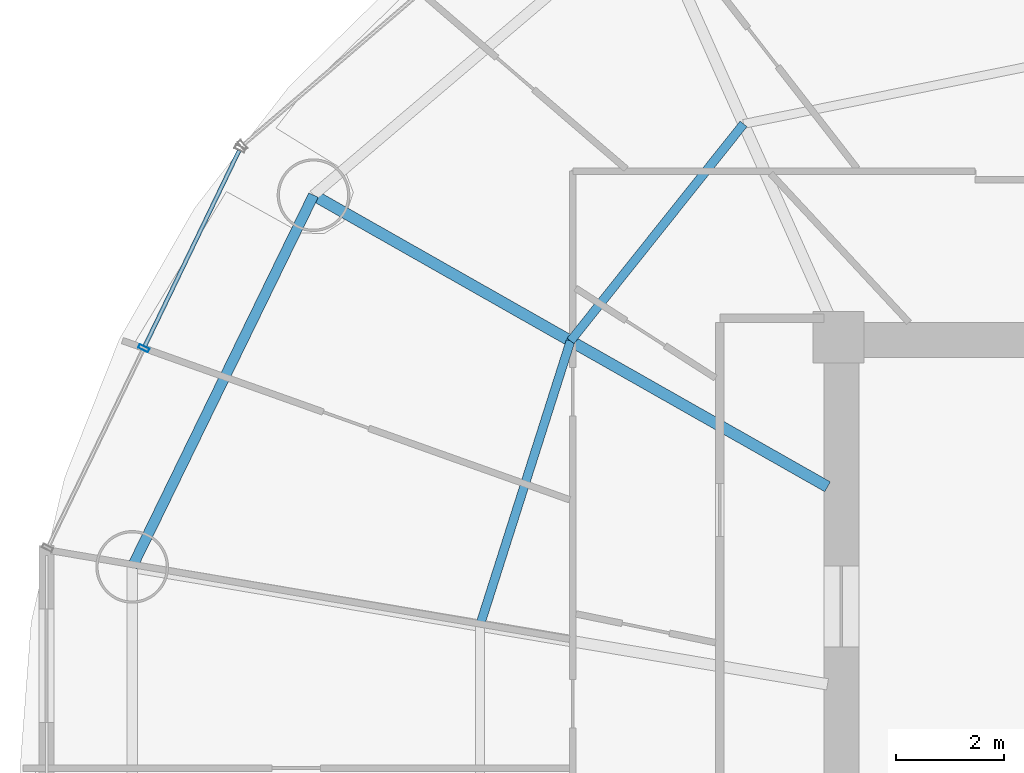
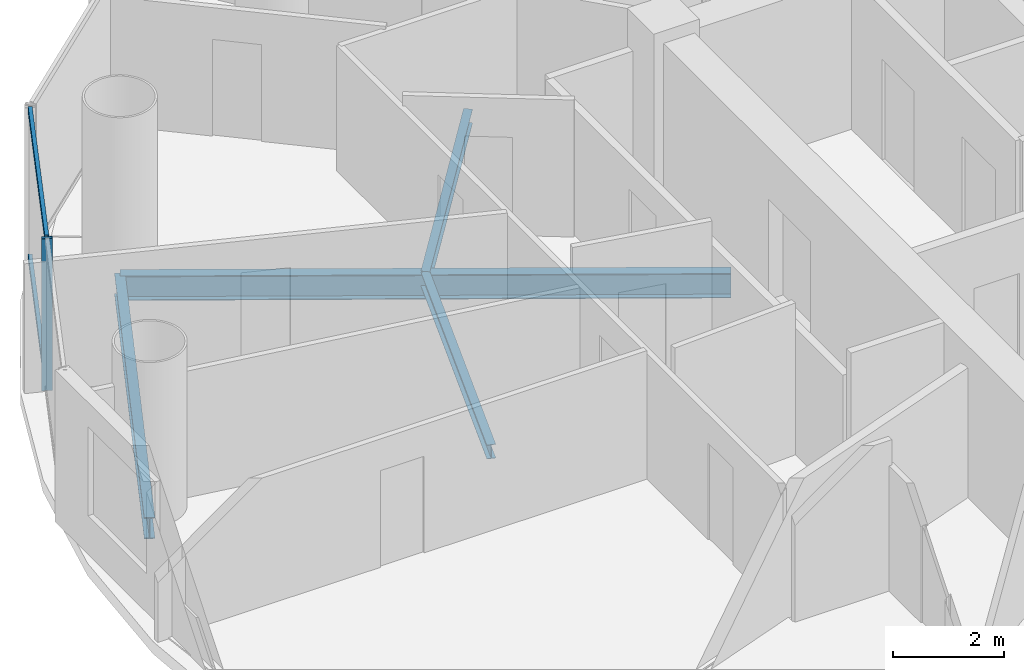
# One storey, part 7 of 27: 4 beams, 3 members, 1 element without a shape of its own.
"""IFC4 building model written with IfcOpenShell, lengths in metres."""

from ifc_helpers import new_model, si_unit, direction, frame, origin, origin_2d, place, context, subcontext, project, spatial, hollow_rectangle, i_section, extrude, source, transform, mapped, material, material_profile, profile_set, type_object, element, aggregate, save


model = new_model("IFC4")

# Units and contexts
model_context = context("Model", 3, precision=1e-05, world=origin(), true_north=direction((-0.2419218956, 0.970295726276)))
body_context = subcontext(model_context, "Body", "Model", "MODEL_VIEW")
ifc_project = project(units=[si_unit("LENGTHUNIT", "METRE"), si_unit("AREAUNIT", "SQUARE_METRE"), si_unit("VOLUMEUNIT", "CUBIC_METRE"), si_unit("PLANEANGLEUNIT", "RADIAN"), si_unit("MASSUNIT", "GRAM", prefix="KILO")], contexts=[model_context])

# Site, building, storey
site_placement = place(None, origin())
site = spatial("IfcSite", under=ifc_project, at=site_placement, CompositionType="ELEMENT")
building_placement = place(site_placement, origin())
building = spatial("IfcBuilding", under=site, at=building_placement, Name="Cobrevalo Terracotta Tower", CompositionType="ELEMENT")
storey_placement = place(building_placement, frame((0.0, 0.0, 149.800048828125)))
storey = spatial("IfcBuildingStorey", under=building, at=storey_placement, Name="L39", CompositionType="ELEMENT", Elevation=149.800048828125)

# Beams
ifc_material_1 = material(Name="Steel S355", Category="steel")
ifc_material_profile_1 = material_profile(ifc_material_1, i_section(OverallWidth=0.2109375, OverallDepth=0.5390625, WebThickness=0.01171875, FlangeThickness=0.018798828125, at=origin_2d()), Name="W 530x109")
ifc_profile_set_1 = profile_set([ifc_material_profile_1], Name="Steel S355")
beam_type_1 = type_object("IfcBeamType", Name="Structural Beam W 530x109 (Steel S355)", PredefinedType="BEAM", material=ifc_profile_set_1)
beam_1_placement = place(storey_placement, frame((19.250244140625, 37.439208984375, -0.53955078125), z_axis=(0.869734177783, -0.493520475762, 0.0), x_axis=(0.493520475762, 0.869734177783, 0.0)))
element("IfcBeam", 1, at=beam_1_placement, inside=storey, type_object=beam_type_1, Name="L39 radial floor girder 07", PredefinedType="BEAM", context=body_context, shape_type="SweptSolid", body=[
    extrude(i_section(OverallWidth=0.2109375, OverallDepth=0.5390625, WebThickness=0.01171875, FlangeThickness=0.018798828125, at=origin_2d()), origin(), (0.0, 0.0, 1.0), 10.974365234375),
])
ifc_material_profile_2 = material_profile(ifc_material_1, i_section(OverallWidth=0.1650390625, OverallDepth=0.31005859375, WebThickness=0.005859375, FlangeThickness=0.009765625, at=origin_2d()), Name="W 310x38.7")
ifc_profile_set_2 = profile_set([ifc_material_profile_2], Name="Steel S355")
beam_type_2 = type_object("IfcBeamType", Name="Structural Joist W 310x38.7 (Steel S355)", PredefinedType="JOIST", material=ifc_profile_set_2)
beam_2_placement = place(storey_placement, frame((27.23583984375, 38.76123046875, -0.425048828125), z_axis=(-0.62340602772, -0.781898282773, 0.0), x_axis=(0.781898282773, -0.62340602772, 0.0)))
element("IfcBeam", 2, at=beam_2_placement, inside=storey, type_object=beam_type_2, Name="L39 circumferential secondary floor joist 06", PredefinedType="JOIST", context=body_context, shape_type="SweptSolid", body=[
    extrude(i_section(OverallWidth=0.1650390625, OverallDepth=0.31005859375, WebThickness=0.005859375, FlangeThickness=0.009765625, at=origin_2d()), origin(), (0.0, 0.0, 1.0), 5.154052734375),
])
beam_3_placement = place(storey_placement, frame((24.022705078125, 34.731201171875, -0.425048828125), z_axis=(-0.303497928386, -0.952832098255, 0.0), x_axis=(0.952832098255, -0.303497928386, 0.0)))
element("IfcBeam", 3, at=beam_3_placement, inside=storey, type_object=beam_type_2, Name="L39 circumferential secondary floor joist 07", PredefinedType="JOIST", context=body_context, shape_type="SweptSolid", body=[
    extrude(i_section(OverallWidth=0.1650390625, OverallDepth=0.31005859375, WebThickness=0.005859375, FlangeThickness=0.009765625, at=origin_2d()), origin(), (0.0, 0.0, 1.0), 5.54736328125),
])
ifc_material_profile_3 = material_profile(ifc_material_1, i_section(OverallWidth=0.194091796875, OverallDepth=0.468994140625, WebThickness=0.011474609375, FlangeThickness=0.0205078125, at=origin_2d()), Name="W 460x106")
ifc_profile_set_3 = profile_set([ifc_material_profile_3], Name="Steel S355")
beam_type_3 = type_object("IfcBeamType", Name="Structural Spandrel W 460x106 (Steel S355)", PredefinedType="SPANDREL", material=ifc_profile_set_3)
beam_4_placement = place(storey_placement, frame((19.250244140625, 37.439208984375, -0.504638671875), z_axis=(-0.438367894028, -0.89879563277, 0.0), x_axis=(0.89879563277, -0.438367894028, 0.0)))
element("IfcBeam", 4, at=beam_4_placement, inside=storey, type_object=beam_type_3, Name="L39 perimeter ring spandrel 07", PredefinedType="SPANDREL", context=body_context, shape_type="SweptSolid", body=[
    extrude(i_section(OverallWidth=0.194091796875, OverallDepth=0.468994140625, WebThickness=0.011474609375, FlangeThickness=0.0205078125, at=origin_2d()), origin(), (0.0, 0.0, 1.0), 7.6806640625),
])

# Curtain wall, members
ifc_material_2 = material(Name="Anodized aluminium", Category="aluminium")
curtain_wall_type = type_object("IfcCurtainWallType", Name="Mid-tower high-wind unitised curtain wall CW-U2", PredefinedType="NOTDEFINED", material=ifc_material_2)
curtain_wall_placement = place(storey_placement, origin())
curtain_wall = element("IfcCurtainWall", 5, at=curtain_wall_placement, inside=storey, type_object=curtain_wall_type, Name="L39 curtain wall CW-L39-S07", PredefinedType="NOTDEFINED")
ifc_material_profile_4 = material_profile(ifc_material_2, hollow_rectangle(XDim=0.074951171875, YDim=0.14990234375, WallThickness=0.00439453125, at=origin_2d()), Name="CWT 75x150")
ifc_profile_set_4 = profile_set([ifc_material_profile_4], Name="Anodized aluminium")
member_type_1 = type_object("IfcMemberType", Name="Tower unitised aluminium transom 75x150", PredefinedType="USERDEFINED", material=ifc_profile_set_4)
shared_shape_1 = source(origin(), body_context, "Body", "SweptSolid", [
    extrude(hollow_rectangle(XDim=0.074951171875, YDim=0.14990234375, WallThickness=0.00439453125, at=origin_2d()), origin(), (0.0, 0.0, 1.0), 4.035888671875),
])
member_1_placement = place(storey_placement, frame((17.86865234375, 38.26708984375, 0.050048828125), z_axis=(-0.434221176581, -0.900806288726, 0.0), x_axis=(0.900806288726, -0.434221176581, 0.0)))
member_1 = element("IfcMember", 6, at=member_1_placement, type_object=member_type_1, Name="CW-L39-S07 transom B01-T1", ObjectType="TRANSOM", PredefinedType="USERDEFINED", context=body_context, shape_type="MappedRepresentation", body=[
    mapped(shared_shape_1, transform((0.0, 0.0, 0.0), scale=1.0)),
])
member_2_placement = place(storey_placement, frame((17.86865234375, 38.26708984375, 3.280029296875), z_axis=(-0.434221176581, -0.900806288726, 0.0), x_axis=(0.900806288726, -0.434221176581, 0.0)))
member_2 = element("IfcMember", 7, at=member_2_placement, type_object=member_type_1, Name="CW-L39-S07 transom B01-T2", ObjectType="TRANSOM", PredefinedType="USERDEFINED", context=body_context, shape_type="MappedRepresentation", body=[
    mapped(shared_shape_1, transform((0.0, 0.0, 0.0), scale=1.0)),
])
ifc_material_profile_5 = material_profile(ifc_material_2, hollow_rectangle(XDim=0.074951171875, YDim=0.199951171875, WallThickness=0.0048828125, at=origin_2d()), Name="CWM 75x200")
ifc_profile_set_5 = profile_set([ifc_material_profile_5], Name="Anodized aluminium")
member_type_2 = type_object("IfcMemberType", Name="Lower/mid tower unitised mullion 75x200", PredefinedType="MULLION", material=ifc_profile_set_5)
shared_shape_2 = source(origin(), body_context, "Body", "SweptSolid", [
    extrude(hollow_rectangle(XDim=0.074951171875, YDim=0.199951171875, WallThickness=0.0048828125, at=origin_2d()), origin(), (0.0, 0.0, 1.0), 3.329833984375),
])
member_3_placement = place(storey_placement, frame((16.098876953125, 34.595703125, 0.0), z_axis=(0.0, 0.0, 1.0), x_axis=(-0.434209440271, -0.900811945957, 0.0)))
member_3 = element("IfcMember", 8, at=member_3_placement, type_object=member_type_2, Name="CW-L39-S07 vertical mullion 02", PredefinedType="MULLION", context=body_context, shape_type="MappedRepresentation", body=[
    mapped(shared_shape_2, transform((0.0, 0.0, 0.0), scale=1.0)),
])
aggregate(curtain_wall, [member_3, member_1, member_2])

save(model, "model.ifc")
